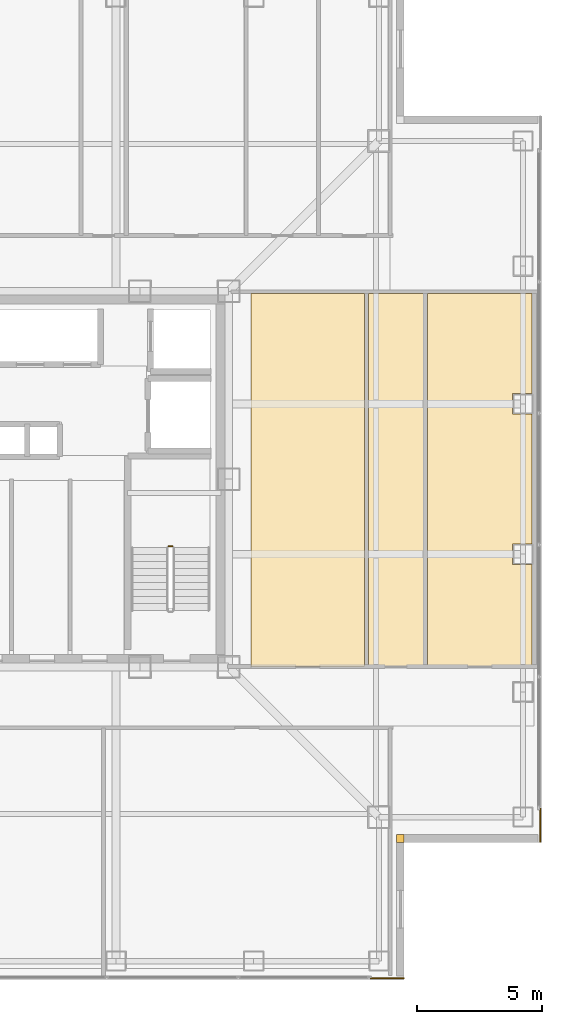
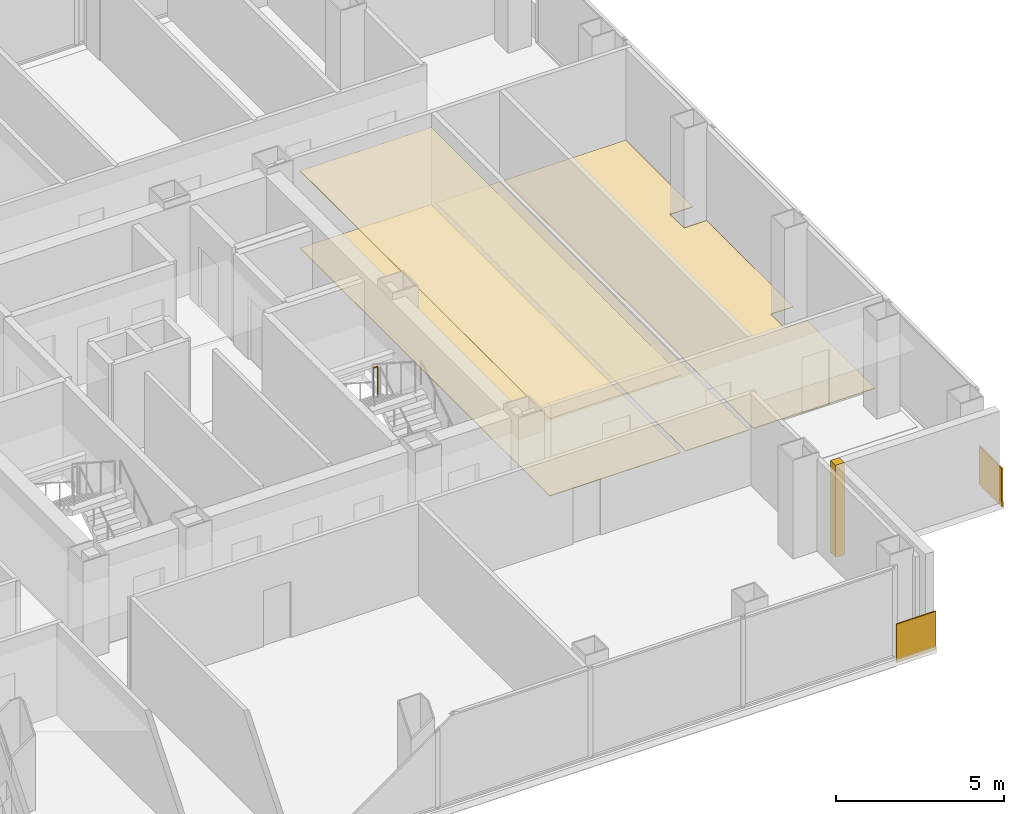
# One storey, part 17 of 18: 7 coverings, 1 railing.
"""IFC4 building model written with IfcOpenShell, lengths in metres."""

import ifcopenshell
import ifcopenshell.guid

model = None  # the IFC model being written
_history = None  # IfcOwnerHistory: only IFC2X3 demands one
_inside = {}  # id of a spatial element -> (the spatial element, [elements in it])
_under = {}  # id of a project, library or spatial element -> (it, [spatial elements below it])
_declared = {}  # id of a project -> (the project, [libraries it declares])
_typed = {}  # id of a type object -> (the type object, [elements of that type])
_made_of = {}  # id of a material, layer set ... -> (it, [elements and type objects made of it])


def new_model(schema):
    """Start an empty IFC model of exactly this schema.

    Asked for "IFC4X3", IfcOpenShell would pick the latest addendum, in which some entities
    have other attributes; the version numbers below select the first issue.
    IFC2X3 requires an IfcOwnerHistory on every rooted entity: one is made here for all.
    """
    global model, _history
    if schema == "IFC4X3":
        model = ifcopenshell.file(schema_version=(4, 3, 0, 0))
    else:
        model = ifcopenshell.file(schema=schema)
    _inside.clear()
    _under.clear()
    _declared.clear()
    _typed.clear()
    _made_of.clear()
    _history = None
    if model.schema == "IFC2X3":
        org = make("IfcOrganization", Name="unknown")
        user = make(
            "IfcPersonAndOrganization",
            ThePerson=make("IfcPerson", FamilyName="unknown"),
            TheOrganization=org,
        )
        app = make(
            "IfcApplication",
            ApplicationDeveloper=org,
            Version="unknown",
            ApplicationFullName="unknown",
            ApplicationIdentifier="unknown",
        )
        _history = make(
            "IfcOwnerHistory",
            OwningUser=user,
            OwningApplication=app,
            ChangeAction="ADDED",
            CreationDate=0,
        )
    return model


def make(cls, **values):
    """One entity of the class cls with the attributes given. An attribute that is None is left unset."""
    return model.create_entity(
        cls, **{name: value for name, value in values.items() if value is not None}
    )


def rooted(cls, **values):
    """An entity with a GlobalId (a new one), such as an element, a storey or a relation."""
    return make(cls, GlobalId=ifcopenshell.guid.new(), OwnerHistory=_history, **values)


def si_unit(unit_type, name, prefix=None):
    """IfcSIUnit, for example si_unit("LENGTHUNIT", "METRE", prefix="MILLI")."""
    return make("IfcSIUnit", UnitType=unit_type, Prefix=prefix, Name=name)


def assignment(units):
    """IfcUnitAssignment: the units of a project."""
    return None if units is None else make("IfcUnitAssignment", Units=units)


def point(xyz):
    """IfcCartesianPoint."""
    return None if xyz is None else make("IfcCartesianPoint", Coordinates=xyz)


def direction(xyz):
    """IfcDirection."""
    return None if xyz is None else make("IfcDirection", DirectionRatios=xyz)


def frame(location, z_axis=None, x_axis=None):
    """IfcAxis2Placement3D, a coordinate frame: its origin and axes. An axis left out is left unset."""
    return make(
        "IfcAxis2Placement3D",
        Location=point(location),
        Axis=direction(z_axis),
        RefDirection=direction(x_axis),
    )


def frame_2d(location, x_axis=None):
    """IfcAxis2Placement2D, a coordinate frame in the plane: its origin and x axis."""
    return make(
        "IfcAxis2Placement2D", Location=point(location), RefDirection=direction(x_axis)
    )


def origin():
    """The frame at (0, 0, 0) with its axes left unset."""
    return frame((0.0, 0.0, 0.0))


def origin_2d():
    """The frame at (0, 0) in the plane with its x axis left unset."""
    return frame_2d((0.0, 0.0))


def place(relative_to, where):
    """IfcLocalPlacement: puts the frame where relative to a parent placement (None: the world)."""
    return make(
        "IfcLocalPlacement", PlacementRelTo=relative_to, RelativePlacement=where
    )


def context(
    kind, dimensions, precision=None, world=None, true_north=None, identifier=None
):
    """IfcGeometricRepresentationContext, for example the 3D "Model" context."""
    return make(
        "IfcGeometricRepresentationContext",
        ContextIdentifier=identifier,
        ContextType=kind,
        CoordinateSpaceDimension=dimensions,
        Precision=precision,
        WorldCoordinateSystem=world,
        TrueNorth=true_north,
    )


def subcontext(parent, identifier, kind, view, scale=None):
    """IfcGeometricRepresentationSubContext, for example "Body" below "Model"."""
    return make(
        "IfcGeometricRepresentationSubContext",
        ContextIdentifier=identifier,
        ContextType=kind,
        ParentContext=parent,
        TargetScale=scale,
        TargetView=view,
    )


def project(units=None, contexts=None):
    """IfcProject with its units and contexts."""
    return rooted(
        "IfcProject",
        Name="project",
        RepresentationContexts=contexts,
        UnitsInContext=assignment(units),
    )


def spatial(cls, under=None, at=None, **own):
    """A site, building, storey or space (cls), placed at a placement, below another one or the project."""
    s = rooted(cls, ObjectPlacement=at, **own)
    if under is not None:
        _under.setdefault(under.id(), (under, []))[1].append(s)
    return s


def polyline(points):
    """IfcPolyline through the points."""
    return make("IfcPolyline", Points=[point(p) for p in points])


def profile(cls, at=None, kind="AREA", **sizes):
    """A parametric profile (cls). Its sizes go by their IFC names, for example OverallWidth=200.0."""
    return make(cls, ProfileType=kind, Position=at, **sizes)


def rectangle(**sizes):
    """IfcRectangleProfileDef."""
    return profile("IfcRectangleProfileDef", **sizes)


def circle(**sizes):
    """IfcCircleProfileDef."""
    return profile("IfcCircleProfileDef", **sizes)


def outline(outer, holes=None, kind="AREA"):
    """IfcArbitraryClosedProfileDef: a profile drawn as a closed curve; with holes, ...WithVoids."""
    if holes is None:
        return make("IfcArbitraryClosedProfileDef", ProfileType=kind, OuterCurve=outer)
    return make(
        "IfcArbitraryProfileDefWithVoids",
        ProfileType=kind,
        OuterCurve=outer,
        InnerCurves=holes,
    )


def extrude(swept, where, along, depth):
    """IfcExtrudedAreaSolid: the profile swept, set in the frame where, extruded along a direction by depth."""
    return make(
        "IfcExtrudedAreaSolid",
        SweptArea=swept,
        Position=where,
        ExtrudedDirection=direction(along),
        Depth=depth,
    )


def shape(context_of_items, identifier, shape_type, items):
    """IfcShapeRepresentation: the items that make up one representation, for example the "Body"."""
    return make(
        "IfcShapeRepresentation",
        ContextOfItems=context_of_items,
        RepresentationIdentifier=identifier,
        RepresentationType=shape_type,
        Items=items,
    )


def material(Name=None, Category=None):
    """IfcMaterial."""
    return make("IfcMaterial", Name=Name, Category=Category)


def layer(
    of_material, thickness, ventilated=None, Name=None, Category=None, Priority=None
):
    """IfcMaterialLayer: one layer of a wall or slab, of a material (None: an air gap)."""
    return make(
        "IfcMaterialLayer",
        Material=of_material,
        LayerThickness=thickness,
        IsVentilated=ventilated,
        Name=Name,
        Category=Category,
        Priority=Priority,
    )


def layer_set(layers, Name=None):
    """IfcMaterialLayerSet."""
    return make("IfcMaterialLayerSet", MaterialLayers=layers, LayerSetName=Name)


def made_of(thing, what):
    """Note that an element or type object is made of a material, layer set ...; save() writes the relation."""
    if what is not None:
        _made_of.setdefault(what.id(), (what, []))[1].append(thing)
    return thing


def type_object(cls, material=None, **own):
    """A type object (cls), such as IfcWallType, which elements share."""
    return made_of(rooted(cls, **own), material)


def element(
    cls,
    number,
    at=None,
    inside=None,
    cuts=None,
    type_object=None,
    material=None,
    context=None,
    identifier="Body",
    shape_type=None,
    held_by="IfcProductDefinitionShape",
    body=None,
    shapes=None,
    **own,
):
    """One element of the class cls, such as IfcWall. Its Tag is "e" and its number.

    at: its placement. inside: the storey or other place that contains it. cuts: it is an
    opening in that element (IfcRelVoidsElement). A single representation is given by context,
    identifier, shape_type and body (its items); several are given by shapes. held_by: the class
    of the entity that holds the representations. save() writes the other relations.
    """
    e = rooted(cls, Tag="e%d" % number, ObjectPlacement=at, **own)
    if body is not None:
        shapes = [shape(context, identifier, shape_type, body)]
    if shapes is not None:
        e.Representation = make(held_by, Representations=shapes)
    if inside is not None:
        _inside.setdefault(inside.id(), (inside, []))[1].append(e)
    if cuts is not None:
        rooted(
            "IfcRelVoidsElement", RelatingBuildingElement=cuts, RelatedOpeningElement=e
        )
    if type_object is not None:
        _typed.setdefault(type_object.id(), (type_object, []))[1].append(e)
    return made_of(e, material)


def aggregate(whole, parts):
    """IfcRelAggregates: a whole, such as a stair, and the parts it consists of."""
    return rooted("IfcRelAggregates", RelatingObject=whole, RelatedObjects=parts)


def save(model, path):
    """Write the relations noted so far, then the file.

    IfcRelAggregates (storeys below a building ...), IfcRelContainedInSpatialStructure (elements
    in a storey), IfcRelDefinesByType, IfcRelAssociatesMaterial and IfcRelDeclares: one each for
    every whole, place, type object, material and project.
    """
    for whole, parts in _under.values():
        aggregate(whole, parts)
    for where, things in _inside.values():
        rooted(
            "IfcRelContainedInSpatialStructure",
            RelatedElements=things,
            RelatingStructure=where,
        )
    for kind, things in _typed.values():
        rooted("IfcRelDefinesByType", RelatedObjects=things, RelatingType=kind)
    for what, things in _made_of.values():
        rooted("IfcRelAssociatesMaterial", RelatedObjects=things, RelatingMaterial=what)
    for by, libraries in _declared.values():
        rooted("IfcRelDeclares", RelatingContext=by, RelatedDefinitions=libraries)
    model.write(path)


model = new_model("IFC4")

# Units and contexts
model_context = context("Model", 3, precision=1e-05, world=origin(), true_north=direction((0.0, 1.0)))
body_context = subcontext(model_context, "Body", "Model", "MODEL_VIEW")
ifc_project = project(units=[si_unit("LENGTHUNIT", "METRE"), si_unit("AREAUNIT", "SQUARE_METRE"), si_unit("VOLUMEUNIT", "CUBIC_METRE"), si_unit("PLANEANGLEUNIT", "RADIAN"), si_unit("MASSUNIT", "GRAM", prefix="KILO")], contexts=[model_context])

# Site, building, storey
site_placement = place(None, origin())
site = spatial("IfcSite", under=ifc_project, at=site_placement, CompositionType="ELEMENT")
building_placement = place(site_placement, origin())
building = spatial("IfcBuilding", under=site, at=building_placement, Name="Trevonay Congress Spire", CompositionType="ELEMENT")
storey_placement = place(building_placement, frame((0.0, 0.0, 220.199951171875)))
storey = spatial("IfcBuildingStorey", under=building, at=storey_placement, Name="L57", CompositionType="ELEMENT", Elevation=220.199951171875)

# Coverings
ifc_material_1 = material(Name="Acoustic Mineral Fibre Board", Category="gypsum")
ifc_layer_1 = layer(ifc_material_1, 0.02490234375, Name="Acoustic Mineral Fibre Board")
ifc_layer_set_1 = layer_set([ifc_layer_1], Name="Acoustic Mineral Fibre Board")
covering_type_1 = type_object("IfcCoveringType", Name="COV-CEIL-ACOUSTIC", PredefinedType="CEILING", material=ifc_layer_set_1)
covering_1_placement = place(storey_placement, frame((0.0, 0.0, 2.81005859375)))
element("IfcCovering", 1, at=covering_1_placement, inside=storey, type_object=covering_type_1, Name="L57 Catering Kitchen acoustic suspended ceiling", PredefinedType="CEILING", context=body_context, shape_type="SweptSolid", body=[
    extrude(outline(polyline([(8.39990234375, -7.47998046875), (12.919921875, -7.47998046875), (12.919921875, 7.419921875), (8.39990234375, 7.419921875), (8.39990234375, -7.47998046875)])), origin(), (0.0, 0.0, 1.0), 0.02490234375),
])
ifc_material_2 = material(Name="Polished Granite Floor Tile", Category="masonry")
ifc_layer_2 = layer(ifc_material_2, 0.02001953125, Name="Polished Granite Floor Tile")
ifc_layer_set_2 = layer_set([ifc_layer_2], Name="Polished Granite Floor Tile")
covering_type_2 = type_object("IfcCoveringType", Name="COV-FLOOR-STONE", PredefinedType="FLOORING", material=ifc_layer_set_2)
covering_2_placement = place(storey_placement, origin())
element("IfcCovering", 2, at=covering_2_placement, inside=storey, type_object=covering_type_2, Name="L57 Catering Kitchen floor finish", PredefinedType="FLOORING", context=body_context, shape_type="SweptSolid", body=[
    extrude(outline(polyline([(8.39990234375, -7.47998046875), (12.919921875, -7.47998046875), (12.919921875, 7.419921875), (8.39990234375, 7.419921875), (8.39990234375, -7.47998046875)])), origin(), (0.0, 0.0, 1.0), 0.02001953125),
])
covering_3_placement = place(storey_placement, origin())
element("IfcCovering", 3, at=covering_3_placement, inside=storey, type_object=covering_type_2, Name="L57 Male Restroom WC floor finish", PredefinedType="FLOORING", context=body_context, shape_type="SweptSolid", body=[
    extrude(outline(polyline([(13.080078125, -7.47998046875), (15.27001953125, -7.47998046875), (15.27001953125, 7.419921875), (13.080078125, 7.419921875), (13.080078125, -7.47998046875)])), origin(), (0.0, 0.0, 1.0), 0.02001953125),
])
covering_4_placement = place(storey_placement, origin())
element("IfcCovering", 4, at=covering_4_placement, inside=storey, type_object=covering_type_2, Name="L57 Floor Supplies and Copy Room floor finish", PredefinedType="FLOORING", context=body_context, shape_type="SweptSolid", body=[
    extrude(outline(polyline([(19.6201171875, -7.47998046875), (15.429931640625, -7.47998046875), (15.429931640625, 7.419921875), (19.6201171875, 7.419921875), (19.6201171875, 3.409912109375), (18.840087890625, 3.409912109375), (18.840087890625, 2.590087890625), (19.6201171875, 2.590087890625), (19.6201171875, -2.590087890625), (18.840087890625, -2.590087890625), (18.840087890625, -3.409912109375), (19.6201171875, -3.409912109375), (19.6201171875, -7.47998046875)])), origin(), (0.0, 0.0, 1.0), 0.02001953125),
])
ifc_material_3 = material(Name="Pale Anodised Aluminium EN AW-6063-T6", Category="aluminium")
ifc_layer_3 = layer(ifc_material_3, 0.0400390625, Name="Pale Anodised Aluminium EN AW-6063-T6")
ifc_layer_set_3 = layer_set([ifc_layer_3], Name="Pale Anodised Aluminium EN AW-6063-T6")
covering_type_3 = type_object("IfcCoveringType", Name="COV-SPANDREL-PALE-METAL", PredefinedType="CLADDING", material=ifc_layer_set_3)
covering_5_placement = place(storey_placement, origin())
element("IfcCovering", 5, at=covering_5_placement, inside=storey, type_object=covering_type_3, Name="L57 SE re-entrant notch corner closure trim", PredefinedType="CLADDING", context=body_context, shape_type="SweptSolid", body=[
    extrude(outline(polyline([(14.199951171875, -14.5), (14.5, -14.5), (14.5, -14.199951171875), (14.199951171875, -14.199951171875), (14.199951171875, -14.5)])), origin(), (0.0, 0.0, 1.0), 3.360107421875),
])
for number, where, z_axis, x_axis, name in (
    (6, (19.93994140625, -13.14990234375, -0.14990234375), (0.0, 0.0, 1.0), (0.0, -1.0, 0.0), "L57 SE corner pier spandrel cladding 1"),
    (7, (13.14990234375, -19.93994140625, -0.14990234375), (0.0, 0.0, 1.0), (1.0, 0.0, 0.0), "L57 SE corner pier spandrel cladding 2"),
):
    element("IfcCovering", number, at=place(storey_placement, frame(where, z_axis=z_axis, x_axis=x_axis)), inside=storey, type_object=covering_type_3, Name=name, PredefinedType="CLADDING", context=body_context, shape_type="SweptSolid", body=[
        extrude(rectangle(XDim=1.35009765625, YDim=0.0400390625, at=frame_2d((0.675048828125, 0.0))), origin(), (0.0, 0.0, 1.0), 1.39990234375),
    ])

# Railing
railing_type = type_object("IfcRailingType", Name="RAL-STAIR-GUARD-110", PredefinedType="GUARDRAIL", material=ifc_material_3)
railing_placement = place(storey_placement, frame((5.25, -2.679931640625, 1.800048828125)))
element("IfcRailing", 8, at=railing_placement, inside=storey, type_object=railing_type, Name="L57 ST-2 stair guard 2", PredefinedType="GUARDRAIL", context=body_context, shape_type="SweptSolid", body=[
    extrude(circle(Radius=0.02392578125, at=origin_2d()), frame((0.0, 0.0, 1.1259765625), z_axis=(-1.0, 0.0, 0.0), x_axis=(0.0, -1.0, 0.0)), (0.0, 0.0, 1.0), 0.14990234375),
    extrude(circle(Radius=0.02099609375, at=origin_2d()), origin(), (0.0, 0.0, 1.0), 1.101806640625),
    extrude(circle(Radius=0.02099609375, at=origin_2d()), frame((-0.14990234375, 0.0, 0.0)), (0.0, 0.0, 1.0), 1.101806640625),
])

save(model, "model.ifc")
